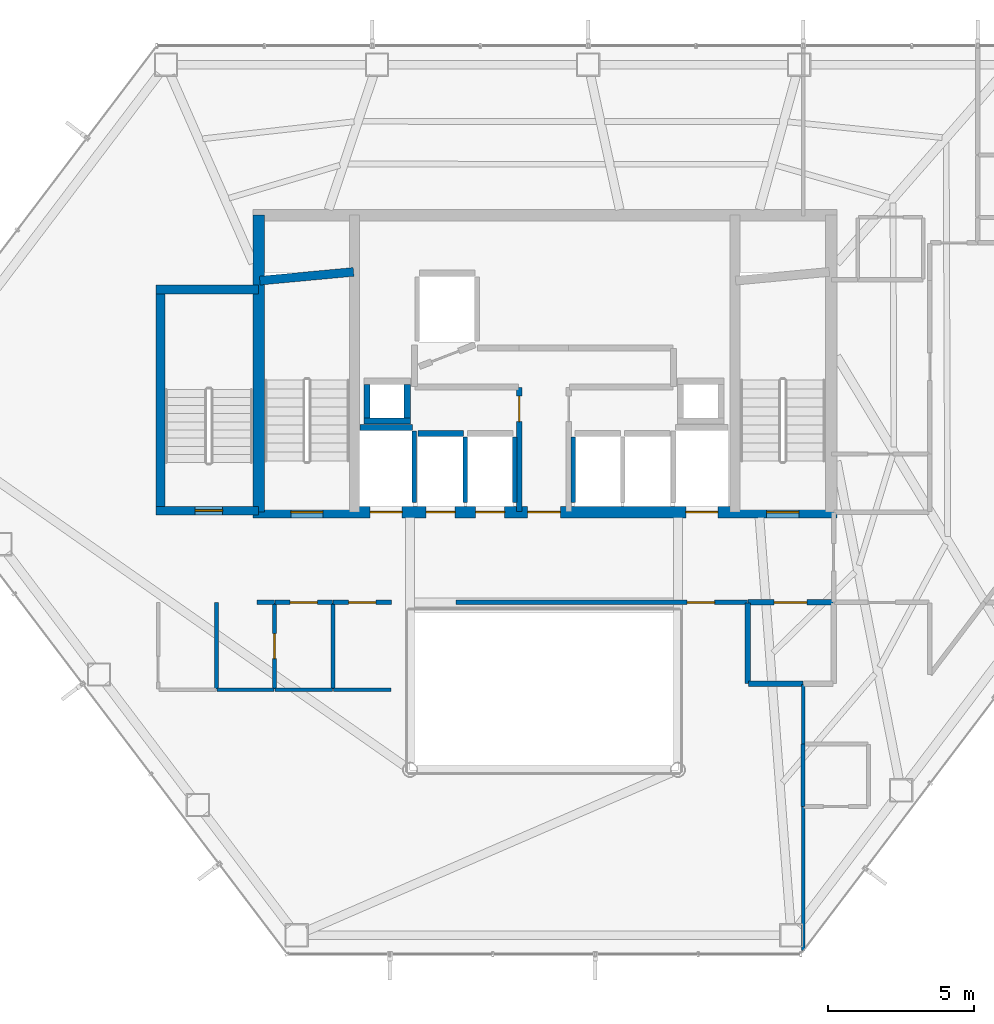
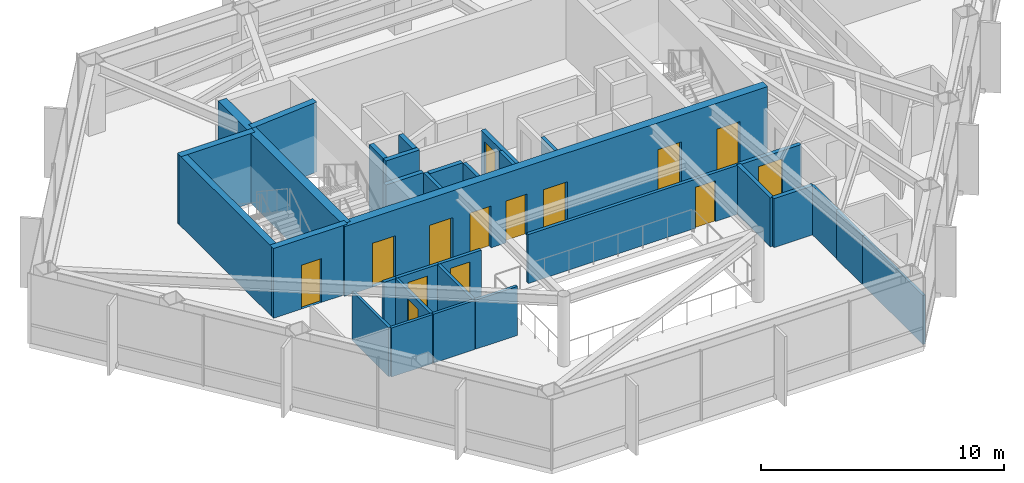
# One storey, part 25 of 28: 32 walls, 14 doors, 14 openings.
"""IFC4 building model written with IfcOpenShell, lengths in metres."""

from ifc_helpers import new_model, si_unit, direction, frame, frame_2d, origin, place, context, subcontext, project, spatial, rectangle, extrude, material, layer, layer_set, type_object, element, fill, save


model = new_model("IFC4")

# Units and contexts
model_context = context("Model", 3, precision=1e-05, world=origin(), true_north=direction((0.0, 1.0)))
body_context = subcontext(model_context, "Body", "Model", "MODEL_VIEW")
ifc_project = project(units=[si_unit("LENGTHUNIT", "METRE"), si_unit("AREAUNIT", "SQUARE_METRE"), si_unit("VOLUMEUNIT", "CUBIC_METRE"), si_unit("PLANEANGLEUNIT", "RADIAN"), si_unit("MASSUNIT", "GRAM", prefix="KILO")], contexts=[model_context])

# Site, building, storey
site_placement = place(None, origin())
site = spatial("IfcSite", under=ifc_project, at=site_placement, CompositionType="ELEMENT")
building_placement = place(site_placement, origin())
building = spatial("IfcBuilding", under=site, at=building_placement, Name="Zarrinselat Tower", CompositionType="ELEMENT")
storey_placement = place(building_placement, frame((0.0, 0.0, 127.159912109375)))
storey = spatial("IfcBuildingStorey", under=building, at=storey_placement, Name="L30", CompositionType="ELEMENT", Elevation=127.159912109375)

# Wall, opening, door
ifc_material_1 = material(Name="Concrete C40/50", Category="concrete")
ifc_layer_1 = layer(ifc_material_1, 0.18994140625)
ifc_layer_set_1 = layer_set([ifc_layer_1], Name="Concrete C40/50")
wall_type_1 = type_object("IfcWallType", Name="WAL-PART-EI120", PredefinedType="PARTITIONING", material=ifc_layer_set_1)
wall_1_placement = place(storey_placement, frame((45.405029296875, 30.14990234375, 0.0), z_axis=(0.0, 0.0, 1.0), x_axis=(1.0, 0.0, 0.0)))
wall_1 = element("IfcWall", 1, at=wall_1_placement, inside=storey, type_object=wall_type_1, Name="L30 Partition Wall 10", PredefinedType="PARTITIONING", context=body_context, shape_type="SweptSolid", body=[
    extrude(rectangle(XDim=2.925048828125, YDim=0.18994140625, at=frame_2d((1.46240234375, 0.0))), origin(), (0.0, 0.0, 1.0), 2.45703125),
])
opening_1_placement = place(wall_1_placement, frame((0.902587890625, 0.0, 0.0)))
opening_1 = element("IfcOpeningElement", 2, at=opening_1_placement, cuts=wall_1, Name="Opening ID-02", PredefinedType="OPENING", context=body_context, shape_type="SweptSolid", body=[
    extrude(rectangle(XDim=1.1201171875, YDim=2.050048828125, at=frame_2d((0.56005859375, 1.02490234375))), frame((0.0, 0.10498046875, 0.0), z_axis=(0.0, -1.0, 0.0), x_axis=(1.0, 0.0, 0.0)), (0.0, 0.0, 1.0), 0.2099609375),
])
ifc_material_2 = material(Name="Steel S355J2", Category="steel")
door_type_1 = type_object("IfcDoorType", Name="DR-INT-FD60-W", OperationType="NOTDEFINED", PredefinedType="DOOR", material=ifc_material_2)
door_1_placement = place(opening_1_placement, origin())
door_1 = element("IfcDoor", 3, at=door_1_placement, inside=storey, type_object=door_type_1, Name="L30 Interior Door P10", OperationType="SINGLE_SWING_LEFT", OverallHeight=2.050048828125, OverallWidth=1.1201171875, PredefinedType="DOOR", context=body_context, shape_type="SweptSolid", body=[
    extrude(rectangle(XDim=1.1201171875, YDim=2.050048828125, at=frame_2d((0.56005859375, 1.02490234375))), frame((0.0, 0.02490234375, 0.0), z_axis=(0.0, -1.0, 0.0), x_axis=(1.0, 0.0, 0.0)), (0.0, 0.0, 1.0), 0.050048828125),
])
fill(opening_1, door_1)

# Walls
wall_2_placement = place(storey_placement, frame((45.419921875, 27.35009765625, 0.0), z_axis=(0.0, 0.0, 1.0), x_axis=(1.0, 0.0, 0.0)))
element("IfcWall", 4, at=wall_2_placement, inside=storey, type_object=wall_type_1, Name="L30 Partition Wall 16", PredefinedType="PARTITIONING", context=body_context, shape_type="SweptSolid", body=[
    extrude(rectangle(XDim=1.875, YDim=0.18994140625, at=frame_2d((0.9375, 0.0))), origin(), (0.0, 0.0, 1.0), 2.45703125),
])
wall_3_placement = place(storey_placement, frame((45.39990234375, 27.3701171875, 0.0), z_axis=(0.0, 0.0, 1.0), x_axis=(0.0, 1.0, 0.0)))
element("IfcWall", 5, at=wall_3_placement, inside=storey, type_object=wall_type_1, Name="L30 Partition Wall 17", PredefinedType="PARTITIONING", context=body_context, shape_type="SweptSolid", body=[
    extrude(rectangle(XDim=2.759765625, YDim=0.18994140625, at=frame_2d((1.3798828125, 0.0))), origin(), (0.0, 0.0, 1.0), 2.45703125),
])
ifc_material_3 = material(Name="Fire-Rated Gypsum Board Partition", Category="gypsum")
ifc_layer_2 = layer(ifc_material_3, 0.14990234375)
ifc_layer_set_2 = layer_set([ifc_layer_2], Name="Fire-Rated Gypsum Board Partition")
wall_type_2 = type_object("IfcWallType", Name="WAL-PART-EI60", PredefinedType="PARTITIONING", material=ifc_layer_set_2)
wall_4_placement = place(storey_placement, frame((28.550048828125, 30.14990234375, 0.0), z_axis=(0.0, 0.0, 1.0), x_axis=(1.0, 0.0, 0.0)))
element("IfcWall", 6, at=wall_4_placement, inside=storey, type_object=wall_type_2, Name="L30 Partition Wall 12", PredefinedType="PARTITIONING", context=body_context, shape_type="SweptSolid", body=[
    extrude(rectangle(XDim=0.594970703125, YDim=0.14990234375, at=frame_2d((0.29736328125, 0.0))), origin(), (0.0, 0.0, 1.0), 2.45703125),
])

# Wall, opening, door
wall_5_placement = place(storey_placement, frame((29.155029296875, 30.14990234375, 0.0), z_axis=(0.0, 0.0, 1.0), x_axis=(1.0, 0.0, 0.0)))
wall_5 = element("IfcWall", 7, at=wall_5_placement, inside=storey, type_object=wall_type_2, Name="L30 Partition Wall 13", PredefinedType="PARTITIONING", context=body_context, shape_type="SweptSolid", body=[
    extrude(rectangle(XDim=1.989990234375, YDim=0.14990234375, at=frame_2d((0.9951171875, 0.0))), origin(), (0.0, 0.0, 1.0), 2.45703125),
])
opening_2_placement = place(wall_5_placement, frame((0.52490234375, 0.0, 0.0)))
opening_2 = element("IfcOpeningElement", 8, at=opening_2_placement, cuts=wall_5, Name="Opening ID-04", PredefinedType="OPENING", context=body_context, shape_type="SweptSolid", body=[
    extrude(rectangle(XDim=0.93994140625, YDim=2.050048828125, at=frame_2d((0.469970703125, 1.02490234375))), frame((0.0, 0.0849609375, 0.0), z_axis=(0.0, -1.0, 0.0), x_axis=(1.0, 0.0, 0.0)), (0.0, 0.0, 1.0), 0.169921875),
])
ifc_material_4 = material(Name="Fire-Rated Gypsum Board Partition")
door_type_2 = type_object("IfcDoorType", Name="DR-INT-FD30-ENT", OperationType="NOTDEFINED", PredefinedType="DOOR", material=ifc_material_4)
door_2_placement = place(opening_2_placement, origin())
door_2 = element("IfcDoor", 9, at=door_2_placement, inside=storey, type_object=door_type_2, Name="L30 Interior Door P13", OperationType="SINGLE_SWING_LEFT", OverallHeight=2.050048828125, OverallWidth=0.93994140625, PredefinedType="DOOR", context=body_context, shape_type="SweptSolid", body=[
    extrude(rectangle(XDim=0.93994140625, YDim=2.050048828125, at=frame_2d((0.469970703125, 1.02490234375))), frame((0.0, 0.02490234375, 0.0), z_axis=(0.0, -1.0, 0.0), x_axis=(1.0, 0.0, 0.0)), (0.0, 0.0, 1.0), 0.050048828125),
])
fill(opening_2, door_2)

wall_6_placement = place(storey_placement, frame((31.155029296875, 30.14990234375, 0.0), z_axis=(0.0, 0.0, 1.0), x_axis=(1.0, 0.0, 0.0)))
wall_6 = element("IfcWall", 10, at=wall_6_placement, inside=storey, type_object=wall_type_2, Name="L30 Partition Wall 14", PredefinedType="PARTITIONING", context=body_context, shape_type="SweptSolid", body=[
    extrude(rectangle(XDim=2.010009765625, YDim=0.14990234375, at=frame_2d((1.0048828125, 0.0))), origin(), (0.0, 0.0, 1.0), 2.45703125),
])
opening_3_placement = place(wall_6_placement, frame((0.534912109375, 0.0, 0.0)))
opening_3 = element("IfcOpeningElement", 11, at=opening_3_placement, cuts=wall_6, Name="Opening ID-04", PredefinedType="OPENING", context=body_context, shape_type="SweptSolid", body=[
    extrude(rectangle(XDim=0.93994140625, YDim=2.050048828125, at=frame_2d((0.469970703125, 1.02490234375))), frame((0.0, 0.0849609375, 0.0), z_axis=(0.0, -1.0, 0.0), x_axis=(1.0, 0.0, 0.0)), (0.0, 0.0, 1.0), 0.169921875),
])
door_3_placement = place(opening_3_placement, origin())
door_3 = element("IfcDoor", 12, at=door_3_placement, inside=storey, type_object=door_type_2, Name="L30 Interior Door P14", OperationType="SINGLE_SWING_RIGHT", OverallHeight=2.050048828125, OverallWidth=0.93994140625, PredefinedType="DOOR", context=body_context, shape_type="SweptSolid", body=[
    extrude(rectangle(XDim=0.93994140625, YDim=2.050048828125, at=frame_2d((0.469970703125, 1.02490234375))), frame((0.0, 0.02490234375, 0.0), z_axis=(0.0, -1.0, 0.0), x_axis=(1.0, 0.0, 0.0)), (0.0, 0.0, 1.0), 0.050048828125),
])
fill(opening_3, door_3)

wall_7_placement = place(storey_placement, frame((35.385009765625, 30.14990234375, 0.0), z_axis=(0.0, 0.0, 1.0), x_axis=(1.0, 0.0, 0.0)))
wall_7 = element("IfcWall", 13, at=wall_7_placement, inside=storey, type_object=wall_type_2, Name="L30 Partition Wall 15", PredefinedType="PARTITIONING", context=body_context, shape_type="SweptSolid", body=[
    extrude(rectangle(XDim=10.010009765625, YDim=0.14990234375, at=frame_2d((5.0048828125, 0.0))), origin(), (0.0, 0.0, 1.0), 2.45703125),
])
opening_4_placement = place(wall_7_placement, frame((7.93505859375, 0.0, 0.0)))
opening_4 = element("IfcOpeningElement", 14, at=opening_4_placement, cuts=wall_7, Name="Opening ID-04", PredefinedType="OPENING", context=body_context, shape_type="SweptSolid", body=[
    extrude(rectangle(XDim=0.93994140625, YDim=2.050048828125, at=frame_2d((0.469970703125, 1.02490234375))), frame((0.0, 0.0849609375, 0.0), z_axis=(0.0, -1.0, 0.0), x_axis=(1.0, 0.0, 0.0)), (0.0, 0.0, 1.0), 0.169921875),
])
door_4_placement = place(opening_4_placement, origin())
door_4 = element("IfcDoor", 15, at=door_4_placement, inside=storey, type_object=door_type_2, Name="L30 Interior Door P15", OperationType="SINGLE_SWING_LEFT", OverallHeight=2.050048828125, OverallWidth=0.93994140625, PredefinedType="DOOR", context=body_context, shape_type="SweptSolid", body=[
    extrude(rectangle(XDim=0.93994140625, YDim=2.050048828125, at=frame_2d((0.469970703125, 1.02490234375))), frame((0.0, 0.02490234375, 0.0), z_axis=(0.0, -1.0, 0.0), x_axis=(1.0, 0.0, 0.0)), (0.0, 0.0, 1.0), 0.050048828125),
])
fill(opening_4, door_4)

ifc_material_5 = material(Name="Concrete C40/50", Category="concrete")
ifc_layer_3 = layer(ifc_material_5, 0.199951171875)
ifc_layer_set_3 = layer_set([ifc_layer_3], Name="Concrete C40/50")
wall_type_3 = type_object("IfcWallType", Name="WAL-PART-PLANT", PredefinedType="PARTITIONING", material=ifc_layer_set_3)
wall_8_placement = place(storey_placement, frame((37.550048828125, 33.264892578125, 0.0), z_axis=(0.0, 0.0, 1.0), x_axis=(0.0, 1.0, 0.0)))
wall_8 = element("IfcWall", 16, at=wall_8_placement, inside=storey, type_object=wall_type_3, Name="L30 Partition Wall 1", PredefinedType="PARTITIONING", context=body_context, shape_type="SweptSolid", body=[
    extrude(rectangle(XDim=4.26513671875, YDim=0.199951171875, at=frame_2d((2.132568359375, 0.0))), origin(), (0.0, 0.0, 1.0), 2.45703125),
])
opening_5_placement = place(wall_8_placement, frame((3.092529296875, 0.0, 0.0)))
opening_5 = element("IfcOpeningElement", 17, at=opening_5_placement, cuts=wall_8, Name="Opening ID-03", PredefinedType="OPENING", context=body_context, shape_type="SweptSolid", body=[
    extrude(rectangle(XDim=0.8798828125, YDim=2.050048828125, at=frame_2d((0.43994140625, 1.02490234375))), frame((0.0, 0.10986328125, 0.0), z_axis=(0.0, -1.0, 0.0), x_axis=(1.0, 0.0, 0.0)), (0.0, 0.0, 1.0), 0.219970703125),
])
ifc_material_6 = material(Name="Steel S355J2", Category="steel")
door_type_3 = type_object("IfcDoorType", Name="DR-INT-FD60-S", OperationType="NOTDEFINED", PredefinedType="DOOR", material=ifc_material_6)
door_5_placement = place(opening_5_placement, origin())
door_5 = element("IfcDoor", 18, at=door_5_placement, inside=storey, type_object=door_type_3, Name="L30 Interior Door P1", OperationType="SINGLE_SWING_LEFT", OverallHeight=2.050048828125, OverallWidth=0.8798828125, PredefinedType="DOOR", context=body_context, shape_type="SweptSolid", body=[
    extrude(rectangle(XDim=0.8798828125, YDim=2.050048828125, at=frame_2d((0.43994140625, 1.02490234375))), frame((0.0, 0.02490234375, 0.0), z_axis=(0.0, -1.0, 0.0), x_axis=(1.0, 0.0, 0.0)), (0.0, 0.0, 1.0), 0.050048828125),
])
fill(opening_5, door_5)

# Walls
ifc_material_7 = material(Name="Fire-Rated Gypsum Board Partition", Category="gypsum")
ifc_layer_4 = layer(ifc_material_7, 0.1201171875)
ifc_layer_set_4 = layer_set([ifc_layer_4], Name="Fire-Rated Gypsum Board Partition")
wall_type_4 = type_object("IfcWallType", Name="WAL-PART-STD", PredefinedType="PARTITIONING", material=ifc_layer_set_4)
wall_9_placement = place(storey_placement, frame((47.300048828125, 25.2919921875, 0.0), z_axis=(0.0, 0.0, 1.0), x_axis=(0.0, 1.0, 0.0)))
element("IfcWall", 19, at=wall_9_placement, inside=storey, type_object=wall_type_4, Name="L30 Partition Wall 42", PredefinedType="PARTITIONING", context=body_context, shape_type="SweptSolid", body=[
    extrude(rectangle(XDim=2.0380859375, YDim=0.1201171875, at=frame_2d((1.01904296875, 0.0))), origin(), (0.0, 0.0, 1.0), 2.45703125),
])
wall_10_placement = place(storey_placement, frame((47.300048828125, 18.189697265625, 0.0), z_axis=(0.0, 0.0, 1.0), x_axis=(0.0, 1.0, 0.0)))
element("IfcWall", 20, at=wall_10_placement, inside=storey, type_object=wall_type_4, Name="L30 Partition Wall 43", PredefinedType="PARTITIONING", context=body_context, shape_type="SweptSolid", body=[
    extrude(rectangle(XDim=4.9423828125, YDim=0.1201171875, at=frame_2d((2.47119140625, 0.0))), origin(), (0.0, 0.0, 1.0), 2.45703125),
])
ifc_material_8 = material(Name="Fire-Rated Gypsum Board Partition", Category="gypsum")
ifc_layer_5 = layer(ifc_material_8, 0.135009765625)
ifc_layer_set_5 = layer_set([ifc_layer_5], Name="Fire-Rated Gypsum Board Partition")
wall_type_5 = type_object("IfcWallType", Name="WAL-PART-WET", PredefinedType="PARTITIONING", material=ifc_layer_set_5)
wall_11_placement = place(storey_placement, frame((27.14990234375, 27.169921875, 0.0), z_axis=(0.0, 0.0, 1.0), x_axis=(0.0, 1.0, 0.0)))
element("IfcWall", 21, at=wall_11_placement, inside=storey, type_object=wall_type_5, Name="L30 Partition Wall 34", PredefinedType="PARTITIONING", context=body_context, shape_type="SweptSolid", body=[
    extrude(rectangle(XDim=2.97998046875, YDim=0.135009765625, at=frame_2d((1.489990234375, 0.0))), origin(), (0.0, 0.0, 1.0), 2.45703125),
])

# Wall, opening, door
wall_12_placement = place(storey_placement, frame((29.14990234375, 27.169921875, 0.0), z_axis=(0.0, 0.0, 1.0), x_axis=(0.0, 1.0, 0.0)))
wall_12 = element("IfcWall", 22, at=wall_12_placement, inside=storey, type_object=wall_type_5, Name="L30 Partition Wall 37", PredefinedType="PARTITIONING", context=body_context, shape_type="SweptSolid", body=[
    extrude(rectangle(XDim=2.9599609375, YDim=0.135009765625, at=frame_2d((1.47998046875, 0.0))), origin(), (0.0, 0.0, 1.0), 2.45703125),
])
opening_6_placement = place(wall_12_placement, frame((1.050048828125, 0.0, 0.0)))
opening_6 = element("IfcOpeningElement", 23, at=opening_6_placement, cuts=wall_12, Name="Opening ID-06", PredefinedType="OPENING", context=body_context, shape_type="SweptSolid", body=[
    extrude(rectangle(XDim=0.860107421875, YDim=2.050048828125, at=frame_2d((0.43017578125, 1.02490234375))), frame((0.0, 0.077392578125, 0.0), z_axis=(0.0, -1.0, 0.0), x_axis=(1.0, 0.0, 0.0)), (0.0, 0.0, 1.0), 0.155029296875),
])
ifc_material_9 = material(Name="Extruded Aluminium Alloy EN AW-6063 T6", Category="aluminium")
door_type_4 = type_object("IfcDoorType", Name="DR-INT-WET-900", OperationType="NOTDEFINED", PredefinedType="DOOR", material=ifc_material_9)
door_6_placement = place(opening_6_placement, origin())
door_6 = element("IfcDoor", 24, at=door_6_placement, inside=storey, type_object=door_type_4, Name="L30 Interior Door P37", OperationType="SINGLE_SWING_RIGHT", OverallHeight=2.050048828125, OverallWidth=0.860107421875, PredefinedType="DOOR", context=body_context, shape_type="SweptSolid", body=[
    extrude(rectangle(XDim=0.860107421875, YDim=2.050048828125, at=frame_2d((0.43017578125, 1.02490234375))), frame((0.0, 0.02490234375, 0.0), z_axis=(0.0, -1.0, 0.0), x_axis=(1.0, 0.0, 0.0)), (0.0, 0.0, 1.0), 0.050048828125),
])
fill(opening_6, door_6)

# Walls
wall_13_placement = place(storey_placement, frame((27.169921875, 27.14990234375, 0.0), z_axis=(0.0, 0.0, 1.0), x_axis=(1.0, 0.0, 0.0)))
element("IfcWall", 25, at=wall_13_placement, inside=storey, type_object=wall_type_5, Name="L30 Partition Wall 38", PredefinedType="PARTITIONING", context=body_context, shape_type="SweptSolid", body=[
    extrude(rectangle(XDim=1.9599609375, YDim=0.135009765625, at=frame_2d((0.97998046875, 0.0))), origin(), (0.0, 0.0, 1.0), 2.45703125),
])
wall_14_placement = place(storey_placement, frame((31.14990234375, 27.169921875, 0.0), z_axis=(0.0, 0.0, 1.0), x_axis=(0.0, 1.0, 0.0)))
element("IfcWall", 26, at=wall_14_placement, inside=storey, type_object=wall_type_5, Name="L30 Partition Wall 39", PredefinedType="PARTITIONING", context=body_context, shape_type="SweptSolid", body=[
    extrude(rectangle(XDim=2.9599609375, YDim=0.135009765625, at=frame_2d((1.47998046875, 0.0))), origin(), (0.0, 0.0, 1.0), 2.45703125),
])
wall_15_placement = place(storey_placement, frame((29.169921875, 27.14990234375, 0.0), z_axis=(0.0, 0.0, 1.0), x_axis=(1.0, 0.0, 0.0)))
element("IfcWall", 27, at=wall_15_placement, inside=storey, type_object=wall_type_5, Name="L30 Partition Wall 40", PredefinedType="PARTITIONING", context=body_context, shape_type="SweptSolid", body=[
    extrude(rectangle(XDim=1.9599609375, YDim=0.135009765625, at=frame_2d((0.97998046875, 0.0))), origin(), (0.0, 0.0, 1.0), 2.45703125),
])
wall_16_placement = place(storey_placement, frame((31.169921875, 27.14990234375, 0.0), z_axis=(0.0, 0.0, 1.0), x_axis=(1.0, 0.0, 0.0)))
element("IfcWall", 28, at=wall_16_placement, inside=storey, type_object=wall_type_5, Name="L30 Partition Wall 41", PredefinedType="PARTITIONING", context=body_context, shape_type="SweptSolid", body=[
    extrude(rectangle(XDim=1.97998046875, YDim=0.135009765625, at=frame_2d((0.989990234375, 0.0))), origin(), (0.0, 0.0, 1.0), 2.45703125),
])
wall_17_placement = place(storey_placement, frame((47.300048828125, 23.14208984375, 0.0), z_axis=(0.0, 0.0, 1.0), x_axis=(0.0, 1.0, 0.0)))
element("IfcWall", 29, at=wall_17_placement, inside=storey, type_object=wall_type_5, Name="L30 Partition Wall 44", PredefinedType="PARTITIONING", context=body_context, shape_type="SweptSolid", body=[
    extrude(rectangle(XDim=2.139892578125, YDim=0.135009765625, at=frame_2d((1.06982421875, 0.0))), origin(), (0.0, 0.0, 1.0), 2.45703125),
])
ifc_material_10 = material(Name="Concrete C40/50", Category="concrete")
ifc_layer_6 = layer(ifc_material_10, 0.2099609375)
ifc_layer_set_6 = layer_set([ifc_layer_6], Name="Concrete C40/50")
wall_type_6 = type_object("IfcWallType", Name="WAL-SHAFT-210", PredefinedType="SOLIDWALL", material=ifc_layer_set_6)
wall_18_placement = place(storey_placement, frame((32.080078125, 36.155029296875, 0.0), z_axis=(0.0, 0.0, 1.0), x_axis=(1.0, 0.0, 0.0)))
element("IfcWall", 30, at=wall_18_placement, inside=storey, type_object=wall_type_6, Name="L30 Lift FFL1 North Shaft Wall", PredefinedType="SOLIDWALL", context=body_context, shape_type="SweptSolid", body=[
    extrude(rectangle(XDim=1.7998046875, YDim=0.2099609375, at=frame_2d((0.89990234375, 0.0))), origin(), (0.0, 0.0, 1.0), 2.47216796875),
])
wall_19_placement = place(storey_placement, frame((33.949951171875, 33.580078125, 0.0), z_axis=(0.0, 0.0, 1.0), x_axis=(0.0, 1.0, 0.0)))
element("IfcWall", 31, at=wall_19_placement, inside=storey, type_object=wall_type_6, Name="L30 Lift FFL1 E Shaft Wall", PredefinedType="SOLIDWALL", context=body_context, shape_type="SweptSolid", body=[
    extrude(rectangle(XDim=2.449951171875, YDim=0.159912109375, at=frame_2d((1.22509765625, 0.0))), origin(), (0.0, 0.0, 1.0), 2.47216796875),
])
wall_20_placement = place(storey_placement, frame((34.070068359375, 35.955078125, 0.0), z_axis=(0.0, 0.0, 1.0), x_axis=(1.0, 0.0, 0.0)))
element("IfcWall", 32, at=wall_20_placement, inside=storey, type_object=wall_type_6, Name="L30 Lift PL5 North Shaft Wall", PredefinedType="SOLIDWALL", context=body_context, shape_type="SweptSolid", body=[
    extrude(rectangle(XDim=1.559814453125, YDim=0.2099609375, at=frame_2d((0.77978515625, 0.0))), origin(), (0.0, 0.0, 1.0), 2.47216796875),
])
for number, where, z_axis, x_axis, name in (
    (33, (35.699951171875, 33.580078125, 0.0), (0.0, 0.0, 1.0), (0.0, 1.0, 0.0), "L30 Lift PL5 E Shaft Wall"),
    (34, (37.39990234375, 33.580078125, 0.0), (0.0, 0.0, 1.0), (0.0, 1.0, 0.0), "L30 Lift PL6 E Shaft Wall"),
    (35, (39.39990234375, 33.580078125, 0.0), (0.0, 0.0, 1.0), (0.0, 1.0, 0.0), "L30 Lift PL8 W Shaft Wall"),
):
    element("IfcWall", number, at=place(storey_placement, frame(where, z_axis=z_axis, x_axis=x_axis)), inside=storey, type_object=wall_type_6, Name=name, PredefinedType="SOLIDWALL", context=body_context, shape_type="SweptSolid", body=[
        extrude(rectangle(XDim=2.25, YDim=0.159912109375, at=frame_2d((1.125, 0.0))), origin(), (0.0, 0.0, 1.0), 2.47216796875),
    ])
wall_21_placement = place(storey_placement, frame((32.2099609375, 36.375, 0.0), z_axis=(0.0, 0.0, 1.0), x_axis=(1.0, 0.0, 0.0)))
element("IfcWall", 36, at=wall_21_placement, inside=storey, type_object=wall_type_6, Name="L30 Core Riser RSR-W S Shaft Wall", PredefinedType="SOLIDWALL", context=body_context, shape_type="SweptSolid", body=[
    extrude(rectangle(XDim=1.60009765625, YDim=0.2099609375, at=frame_2d((0.800048828125, 0.0))), origin(), (0.0, 0.0, 1.0), 3.5),
])
for number, where, z_axis, x_axis, name in (
    (37, (32.31494140625, 36.485107421875, 0.0), (0.0, 0.0, 1.0), (0.0, 1.0, 0.0), "L30 Core Riser RSR-W W Shaft Wall"),
    (38, (33.705078125, 36.485107421875, 0.0), (0.0, 0.0, 1.0), (0.0, 1.0, 0.0), "L30 Core Riser RSR-W E Shaft Wall"),
):
    element("IfcWall", number, at=place(storey_placement, frame(where, z_axis=z_axis, x_axis=x_axis)), inside=storey, type_object=wall_type_6, Name=name, PredefinedType="SOLIDWALL", context=body_context, shape_type="SweptSolid", body=[
        extrude(rectangle(XDim=1.14990234375, YDim=0.2099609375, at=frame_2d((0.574951171875, 0.0))), origin(), (0.0, 0.0, 1.0), 3.5),
    ])
ifc_material_11 = material(Name="Concrete C40/50", Category="concrete")
ifc_layer_7 = layer(ifc_material_11, 0.300048828125)
ifc_layer_set_7 = layer_set([ifc_layer_7], Name="Concrete C40/50")
wall_type_7 = type_object("IfcWallType", Name="WAL-SHEAR-300", PredefinedType="SHEAR", material=ifc_layer_set_7)
wall_22_placement = place(storey_placement, frame((28.639892578125, 41.199951171875, 0.0), z_axis=(0.0, 0.0, 1.0), x_axis=(0.995687118776, 0.092774789157, 0.0)))
element("IfcWall", 39, at=wall_22_placement, inside=storey, type_object=wall_type_7, Name="L30 Stair 1 North Shaft Wall", PredefinedType="SHEAR", context=body_context, shape_type="SweptSolid", body=[
    extrude(rectangle(XDim=3.234130859375, YDim=0.300048828125, at=frame_2d((1.6171875, 0.0))), origin(), (0.0, 0.0, 1.0), 3.5),
])
wall_23_placement = place(storey_placement, frame((25.080078125, 40.89990234375, 0.0), z_axis=(0.0, 0.0, 1.0), x_axis=(1.0, 0.0, 0.0)))
element("IfcWall", 40, at=wall_23_placement, inside=storey, type_object=wall_type_7, Name="L30 Stair 3 North Shear Wall", PredefinedType="SHEAR", context=body_context, shape_type="SweptSolid", body=[
    extrude(rectangle(XDim=3.52001953125, YDim=0.300048828125, at=frame_2d((1.760009765625, 0.0))), origin(), (0.0, 0.0, 1.0), 3.5),
])

# Wall, opening, door
wall_24_placement = place(storey_placement, frame((25.080078125, 33.300048828125, 0.0), z_axis=(0.0, 0.0, 1.0), x_axis=(1.0, 0.0, 0.0)))
wall_24 = element("IfcWall", 41, at=wall_24_placement, inside=storey, type_object=wall_type_7, Name="L30 Stair 3 South Shear Wall", PredefinedType="SHEAR", context=body_context, shape_type="SweptSolid", body=[
    extrude(rectangle(XDim=3.52001953125, YDim=0.300048828125, at=frame_2d((1.760009765625, 0.0))), origin(), (0.0, 0.0, 1.0), 3.5),
])
opening_7_placement = place(wall_24_placement, frame((1.3349609375, 0.0, 0.0)))
opening_7 = element("IfcOpeningElement", 42, at=opening_7_placement, cuts=wall_24, Name="Opening SD-02", PredefinedType="OPENING", context=body_context, shape_type="SweptSolid", body=[
    extrude(rectangle(XDim=0.949951171875, YDim=2.199951171875, at=frame_2d((0.47509765625, 1.10009765625))), frame((0.0, 0.159912109375, 0.0), z_axis=(0.0, -1.0, 0.0), x_axis=(1.0, 0.0, 0.0)), (0.0, 0.0, 1.0), 0.320068359375),
])
ifc_material_12 = material(Name="Steel S355J2", Category="steel")
door_type_5 = type_object("IfcDoorType", Name="DR-STAIR-1050", OperationType="NOTDEFINED", PredefinedType="DOOR", material=ifc_material_12)
door_7_placement = place(opening_7_placement, origin())
door_7 = element("IfcDoor", 43, at=door_7_placement, inside=storey, type_object=door_type_5, Name="L30 Exit Stair 3 Fire Door", OperationType="SINGLE_SWING_LEFT", OverallHeight=2.199951171875, OverallWidth=0.949951171875, PredefinedType="DOOR", context=body_context, shape_type="SweptSolid", body=[
    extrude(rectangle(XDim=0.949951171875, YDim=2.199951171875, at=frame_2d((0.47509765625, 1.10009765625))), frame((0.0, 0.02490234375, 0.0), z_axis=(0.0, -1.0, 0.0), x_axis=(1.0, 0.0, 0.0)), (0.0, 0.0, 1.0), 0.050048828125),
])
fill(opening_7, door_7)

# Wall
wall_25_placement = place(storey_placement, frame((25.22998046875, 33.300048828125, 0.0), z_axis=(0.0, 0.0, 1.0), x_axis=(0.0, 1.0, 0.0)))
element("IfcWall", 44, at=wall_25_placement, inside=storey, type_object=wall_type_7, Name="L30 Stair 3 West Shear Wall", PredefinedType="SHEAR", context=body_context, shape_type="SweptSolid", body=[
    extrude(rectangle(XDim=7.599853515625, YDim=0.300048828125, at=frame_2d((3.7998046875, 0.0))), origin(), (0.0, 0.0, 1.0), 3.5),
])

# Wall, openings, doors
ifc_material_13 = material(Name="Concrete C60/75", Category="concrete")
ifc_layer_8 = layer(ifc_material_13, 0.39990234375)
ifc_layer_set_8 = layer_set([ifc_layer_8], Name="Concrete C60/75")
wall_type_8 = type_object("IfcWallType", Name="WAL-SHEAR-400", PredefinedType="SHEAR", material=ifc_layer_set_8)
wall_26_placement = place(storey_placement, frame((28.39990234375, 33.25, 0.0), z_axis=(0.0, 0.0, 1.0), x_axis=(1.0, 0.0, 0.0)))
wall_26 = element("IfcWall", 45, at=wall_26_placement, inside=storey, type_object=wall_type_8, Name="L30 South Core Shear Wall", PredefinedType="SHEAR", context=body_context, shape_type="SweptSolid", body=[
    extrude(rectangle(XDim=20.06005859375, YDim=0.39990234375, at=frame_2d((10.030029296875, 0.0))), origin(), (0.0, 0.0, 1.0), 3.5),
])
opening_8_placement = place(wall_26_placement, frame((4.030029296875, 0.0, 0.0)))
opening_8 = element("IfcOpeningElement", 46, at=opening_8_placement, cuts=wall_26, Name="Opening LD-FFL1", PredefinedType="OPENING", context=body_context, shape_type="SweptSolid", body=[
    extrude(rectangle(XDim=1.10009765625, YDim=2.14990234375, at=frame_2d((0.550048828125, 1.074951171875))), frame((0.0, 0.2099609375, 0.0), z_axis=(0.0, -1.0, 0.0), x_axis=(1.0, 0.0, 0.0)), (0.0, 0.0, 1.0), 0.419921875),
])
opening_9_placement = place(wall_26_placement, frame((14.8701171875, 0.0, 0.0)))
opening_9 = element("IfcOpeningElement", 47, at=opening_9_placement, cuts=wall_26, Name="Opening LD-FFL2", PredefinedType="OPENING", context=body_context, shape_type="SweptSolid", body=[
    extrude(rectangle(XDim=1.10009765625, YDim=2.14990234375, at=frame_2d((0.550048828125, 1.074951171875))), frame((0.0, 0.2099609375, 0.0), z_axis=(0.0, -1.0, 0.0), x_axis=(1.0, 0.0, 0.0)), (0.0, 0.0, 1.0), 0.419921875),
])
opening_10_placement = place(wall_26_placement, frame((5.949951171875, 0.0, 0.0)))
opening_10 = element("IfcOpeningElement", 48, at=opening_10_placement, cuts=wall_26, Name="Opening LD-PL5", PredefinedType="OPENING", context=body_context, shape_type="SweptSolid", body=[
    extrude(rectangle(XDim=1.0, YDim=2.10009765625, at=frame_2d((0.5, 1.050048828125))), frame((0.0, 0.2099609375, 0.0), z_axis=(0.0, -1.0, 0.0), x_axis=(1.0, 0.0, 0.0)), (0.0, 0.0, 1.0), 0.419921875),
])
opening_11_placement = place(wall_26_placement, frame((7.64990234375, 0.0, 0.0)))
opening_11 = element("IfcOpeningElement", 49, at=opening_11_placement, cuts=wall_26, Name="Opening LD-PL6", PredefinedType="OPENING", context=body_context, shape_type="SweptSolid", body=[
    extrude(rectangle(XDim=1.0, YDim=2.10009765625, at=frame_2d((0.5, 1.050048828125))), frame((0.0, 0.2099609375, 0.0), z_axis=(0.0, -1.0, 0.0), x_axis=(1.0, 0.0, 0.0)), (0.0, 0.0, 1.0), 0.419921875),
])
opening_12_placement = place(wall_26_placement, frame((1.31005859375, 0.0, 0.0)))
opening_12 = element("IfcOpeningElement", 50, at=opening_12_placement, cuts=wall_26, Name="Opening SD-01", PredefinedType="OPENING", context=body_context, shape_type="SweptSolid", body=[
    extrude(rectangle(XDim=1.10009765625, YDim=2.199951171875, at=frame_2d((0.550048828125, 1.10009765625))), frame((0.0, 0.2099609375, 0.0), z_axis=(0.0, -1.0, 0.0), x_axis=(1.0, 0.0, 0.0)), (0.0, 0.0, 1.0), 0.419921875),
])
opening_13_placement = place(wall_26_placement, frame((9.43994140625, 0.0, 0.0)))
opening_13 = element("IfcOpeningElement", 51, at=opening_13_placement, cuts=wall_26, Name="Opening ID-02", PredefinedType="OPENING", context=body_context, shape_type="SweptSolid", body=[
    extrude(rectangle(XDim=1.1201171875, YDim=2.050048828125, at=frame_2d((0.56005859375, 1.02490234375))), frame((0.0, 0.2099609375, 0.0), z_axis=(0.0, -1.0, 0.0), x_axis=(1.0, 0.0, 0.0)), (0.0, 0.0, 1.0), 0.419921875),
])
opening_14_placement = place(wall_26_placement, frame((17.64990234375, 0.0, 0.0)))
opening_14 = element("IfcOpeningElement", 52, at=opening_14_placement, cuts=wall_26, Name="Opening SD-01", PredefinedType="OPENING", context=body_context, shape_type="SweptSolid", body=[
    extrude(rectangle(XDim=1.10009765625, YDim=2.199951171875, at=frame_2d((0.550048828125, 1.10009765625))), frame((0.0, 0.2099609375, 0.0), z_axis=(0.0, -1.0, 0.0), x_axis=(1.0, 0.0, 0.0)), (0.0, 0.0, 1.0), 0.419921875),
])
door_8_placement = place(opening_13_placement, origin())
door_8 = element("IfcDoor", 53, at=door_8_placement, inside=storey, type_object=door_type_1, Name="L30 Core Service Vestibule Fire Door", OperationType="SINGLE_SWING_RIGHT", OverallHeight=2.050048828125, OverallWidth=1.1201171875, PredefinedType="DOOR", context=body_context, shape_type="SweptSolid", body=[
    extrude(rectangle(XDim=1.1201171875, YDim=2.050048828125, at=frame_2d((0.56005859375, 1.02490234375))), frame((0.0, 0.02490234375, 0.0), z_axis=(0.0, -1.0, 0.0), x_axis=(1.0, 0.0, 0.0)), (0.0, 0.0, 1.0), 0.050048828125),
])
fill(opening_13, door_8)
ifc_material_14 = material(Name="Steel S355J2", Category="steel")
door_type_6 = type_object("IfcDoorType", Name="DR-LIFT-FF-1100", OperationType="NOTDEFINED", PredefinedType="DOOR", material=ifc_material_14)
door_9_placement = place(opening_8_placement, origin())
door_9 = element("IfcDoor", 54, at=door_9_placement, inside=storey, type_object=door_type_6, Name="L30 Lift FFL1 Sliding Landing Door", OperationType="SLIDING_TO_LEFT", OverallHeight=2.14990234375, OverallWidth=1.10009765625, PredefinedType="DOOR", context=body_context, shape_type="SweptSolid", body=[
    extrude(rectangle(XDim=1.10009765625, YDim=2.14990234375, at=frame_2d((0.550048828125, 1.074951171875))), frame((0.0, 0.02490234375, 0.0), z_axis=(0.0, -1.0, 0.0), x_axis=(1.0, 0.0, 0.0)), (0.0, 0.0, 1.0), 0.050048828125),
])
fill(opening_8, door_9)
door_10_placement = place(opening_9_placement, origin())
door_10 = element("IfcDoor", 55, at=door_10_placement, inside=storey, type_object=door_type_6, Name="L30 Lift FFL2 Sliding Landing Door", OperationType="SLIDING_TO_RIGHT", OverallHeight=2.14990234375, OverallWidth=1.10009765625, PredefinedType="DOOR", context=body_context, shape_type="SweptSolid", body=[
    extrude(rectangle(XDim=1.10009765625, YDim=2.14990234375, at=frame_2d((0.550048828125, 1.074951171875))), frame((0.0, 0.02490234375, 0.0), z_axis=(0.0, -1.0, 0.0), x_axis=(1.0, 0.0, 0.0)), (0.0, 0.0, 1.0), 0.050048828125),
])
fill(opening_9, door_10)
ifc_material_15 = material(Name="Steel S355J2", Category="steel")
door_type_7 = type_object("IfcDoorType", Name="DR-LIFT-PS-1000", OperationType="NOTDEFINED", PredefinedType="DOOR", material=ifc_material_15)
door_11_placement = place(opening_10_placement, origin())
door_11 = element("IfcDoor", 56, at=door_11_placement, inside=storey, type_object=door_type_7, Name="L30 Lift PL5 Sliding Landing Door", OperationType="SLIDING_TO_LEFT", OverallHeight=2.10009765625, OverallWidth=1.0, PredefinedType="DOOR", context=body_context, shape_type="SweptSolid", body=[
    extrude(rectangle(XDim=1.0, YDim=2.10009765625, at=frame_2d((0.5, 1.050048828125))), frame((0.0, 0.02490234375, 0.0), z_axis=(0.0, -1.0, 0.0), x_axis=(1.0, 0.0, 0.0)), (0.0, 0.0, 1.0), 0.050048828125),
])
fill(opening_10, door_11)
door_12_placement = place(opening_11_placement, origin())
door_12 = element("IfcDoor", 57, at=door_12_placement, inside=storey, type_object=door_type_7, Name="L30 Lift PL6 Sliding Landing Door", OperationType="SLIDING_TO_RIGHT", OverallHeight=2.10009765625, OverallWidth=1.0, PredefinedType="DOOR", context=body_context, shape_type="SweptSolid", body=[
    extrude(rectangle(XDim=1.0, YDim=2.10009765625, at=frame_2d((0.5, 1.050048828125))), frame((0.0, 0.02490234375, 0.0), z_axis=(0.0, -1.0, 0.0), x_axis=(1.0, 0.0, 0.0)), (0.0, 0.0, 1.0), 0.050048828125),
])
fill(opening_11, door_12)
ifc_material_16 = material(Name="Steel S355J2", Category="steel")
door_type_8 = type_object("IfcDoorType", Name="DR-STAIR-1100", OperationType="NOTDEFINED", PredefinedType="DOOR", material=ifc_material_16)
door_13_placement = place(opening_12_placement, origin())
door_13 = element("IfcDoor", 58, at=door_13_placement, inside=storey, type_object=door_type_8, Name="L30 Exit Stair 1 Fire Door", OperationType="SINGLE_SWING_LEFT", OverallHeight=2.199951171875, OverallWidth=1.10009765625, PredefinedType="DOOR", context=body_context, shape_type="SweptSolid", body=[
    extrude(rectangle(XDim=1.10009765625, YDim=2.199951171875, at=frame_2d((0.550048828125, 1.10009765625))), frame((0.0, 0.02490234375, 0.0), z_axis=(0.0, -1.0, 0.0), x_axis=(1.0, 0.0, 0.0)), (0.0, 0.0, 1.0), 0.050048828125),
])
fill(opening_12, door_13)
door_14_placement = place(opening_14_placement, origin())
door_14 = element("IfcDoor", 59, at=door_14_placement, inside=storey, type_object=door_type_8, Name="L30 Exit Stair 2 Fire Door", OperationType="SINGLE_SWING_RIGHT", OverallHeight=2.199951171875, OverallWidth=1.10009765625, PredefinedType="DOOR", context=body_context, shape_type="SweptSolid", body=[
    extrude(rectangle(XDim=1.10009765625, YDim=2.199951171875, at=frame_2d((0.550048828125, 1.10009765625))), frame((0.0, 0.02490234375, 0.0), z_axis=(0.0, -1.0, 0.0), x_axis=(1.0, 0.0, 0.0)), (0.0, 0.0, 1.0), 0.050048828125),
])
fill(opening_14, door_14)

# Wall
wall_27_placement = place(storey_placement, frame((28.60009765625, 33.25, 0.0), z_axis=(0.0, 0.0, 1.0), x_axis=(0.0, 1.0, 0.0)))
element("IfcWall", 60, at=wall_27_placement, inside=storey, type_object=wall_type_8, Name="L30 Core Shear Wall W", PredefinedType="SHEAR", context=body_context, shape_type="SweptSolid", body=[
    extrude(rectangle(XDim=10.199951171875, YDim=0.39990234375, at=frame_2d((5.10009765625, 0.0))), origin(), (0.0, 0.0, 1.0), 3.5),
])

save(model, "model.ifc")
